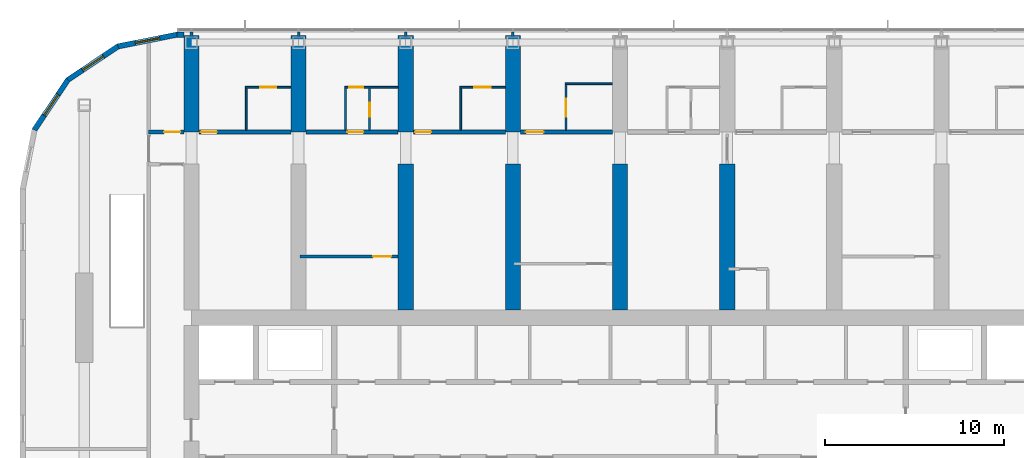
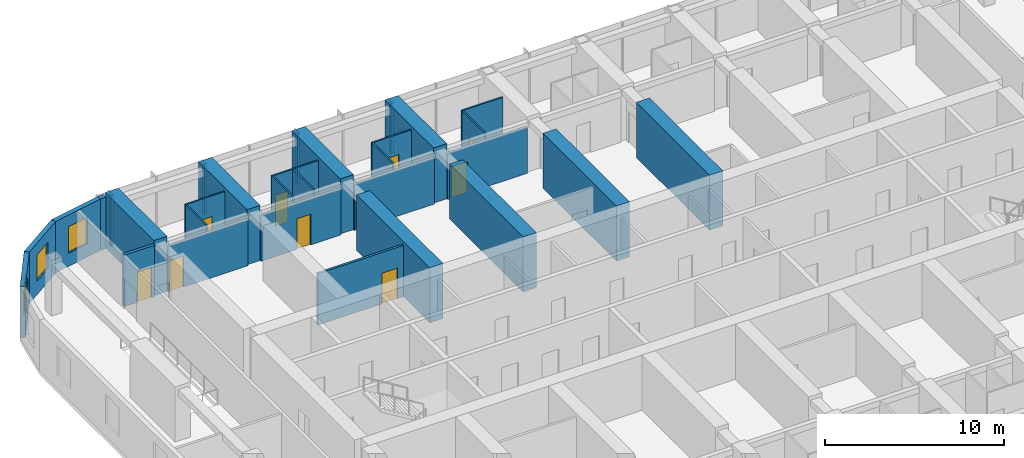
# One storey, part 15 of 22: 31 walls, 11 doors, 3 windows, 14 openings.
"""IFC4 building model written with IfcOpenShell, lengths in metres."""

from ifc_helpers import new_model, si_unit, direction, frame, frame_2d, origin, place, context, subcontext, project, spatial, polyline, rectangle, outline, extrude, material, layer, layer_set, type_object, element, fill, save


model = new_model("IFC4")

# Units and contexts
model_context = context("Model", 3, precision=1e-05, world=origin(), true_north=direction((0.0, 1.0)))
body_context = subcontext(model_context, "Body", "Model", "MODEL_VIEW")
ifc_project = project(units=[si_unit("LENGTHUNIT", "METRE"), si_unit("AREAUNIT", "SQUARE_METRE"), si_unit("VOLUMEUNIT", "CUBIC_METRE"), si_unit("PLANEANGLEUNIT", "RADIAN"), si_unit("MASSUNIT", "GRAM", prefix="KILO")], contexts=[model_context])

# Site, building, storey
site_placement = place(None, origin())
site = spatial("IfcSite", under=ifc_project, at=site_placement, CompositionType="ELEMENT")
building_placement = place(site_placement, origin())
building = spatial("IfcBuilding", under=site, at=building_placement, Name="Orbita Commons", CompositionType="ELEMENT")
storey_placement = place(building_placement, frame((0.0, 0.0, 152.35009765625)))
storey = spatial("IfcBuildingStorey", under=building, at=storey_placement, Name="L37", CompositionType="ELEMENT", Elevation=152.35009765625)

# Wall, opening, door
ifc_material_1 = material(Name="Concrete blockwork", Category="masonry")
ifc_layer_1 = layer(ifc_material_1, 0.199951171875)
ifc_layer_set_1 = layer_set([ifc_layer_1], Name="Concrete blockwork")
wall_type_1 = type_object("IfcWallType", Name="Corridor wall 200 blockwork", PredefinedType="SOLIDWALL", material=ifc_layer_set_1)
wall_1_placement = place(storey_placement, frame((15.60009765625, 48.60009765625, 0.0), z_axis=(0.0, 0.0, 1.0), x_axis=(1.0, 0.0, 0.0)))
wall_1 = element("IfcWall", 1, at=wall_1_placement, inside=storey, type_object=wall_type_1, Name="Corridor wall 200 blockwork L37", PredefinedType="SOLIDWALL", context=body_context, shape_type="SweptSolid", body=[
    extrude(rectangle(XDim=1.974853515625, YDim=0.199951171875, at=frame_2d((0.9873046875, 0.0))), origin(), (0.0, 0.0, 1.0), 3.5),
])
opening_1_placement = place(wall_1_placement, frame((0.875, 0.0, 0.0)))
opening_1 = element("IfcOpeningElement", 2, at=opening_1_placement, cuts=wall_1, Name="Opening D05", PredefinedType="OPENING", context=body_context, shape_type="SweptSolid", body=[
    extrude(rectangle(XDim=0.89990234375, YDim=2.10009765625, at=frame_2d((0.449951171875, 1.050048828125))), frame((0.0, 0.10986328125, 0.0), z_axis=(0.0, -1.0, 0.0), x_axis=(1.0, 0.0, 0.0)), (0.0, 0.0, 1.0), 0.219970703125),
])
ifc_material_2 = material(Name="Steel-faced fire door leaf", Category="steel")
door_type_1 = type_object("IfcDoorType", Name="Service door 20 min 900x2100", OperationType="SINGLE_SWING_LEFT", PredefinedType="DOOR", material=ifc_material_2)
door_1_placement = place(opening_1_placement, origin())
door_1 = element("IfcDoor", 3, at=door_1_placement, inside=storey, type_object=door_type_1, Name="Linen store L37-KWN door", OperationType="SINGLE_SWING_LEFT", OverallHeight=2.10009765625, OverallWidth=0.89990234375, PredefinedType="DOOR", context=body_context, shape_type="SweptSolid", body=[
    extrude(rectangle(XDim=0.89990234375, YDim=2.10009765625, at=frame_2d((0.449951171875, 1.050048828125))), frame((0.0, 0.02490234375, 0.0), z_axis=(0.0, -1.0, 0.0), x_axis=(1.0, 0.0, 0.0)), (0.0, 0.0, 1.0), 0.050048828125),
])
fill(opening_1, door_1)

wall_2_placement = place(storey_placement, frame((18.425048828125, 48.60009765625, 0.0), z_axis=(0.0, 0.0, 1.0), x_axis=(1.0, 0.0, 0.0)))
wall_2 = element("IfcWall", 4, at=wall_2_placement, inside=storey, type_object=wall_type_1, Name="Corridor wall 200 blockwork L37", PredefinedType="SOLIDWALL", context=body_context, shape_type="SweptSolid", body=[
    extrude(outline(polyline([(0.0, 0.0), (5.14990234375, 0.0), (5.14990234375, 3.099853515625), (0.0, 3.099853515625), (0.0, 0.0)])), frame((0.0, 0.10009765625, 0.0), z_axis=(0.0, -1.0, 0.0), x_axis=(1.0, 0.0, 0.0)), (0.0, 0.0, 1.0), 0.199951171875),
])
opening_2_placement = place(wall_2_placement, frame((0.10009765625, 0.0, 0.0)))
opening_2 = element("IfcOpeningElement", 5, at=opening_2_placement, cuts=wall_2, Name="Opening D11", PredefinedType="OPENING", context=body_context, shape_type="SweptSolid", body=[
    extrude(rectangle(XDim=0.89990234375, YDim=2.10009765625, at=frame_2d((0.449951171875, 1.050048828125))), frame((0.0, 0.10986328125, 0.0), z_axis=(0.0, -1.0, 0.0), x_axis=(1.0, 0.0, 0.0)), (0.0, 0.0, 1.0), 0.219970703125),
])
ifc_material_3 = material(Name="Steel-faced fire door leaf", Category="steel")
door_type_2 = type_object("IfcDoorType", Name="Corridor door 20 min 900x2100", OperationType="SINGLE_SWING_LEFT", PredefinedType="DOOR", material=ifc_material_3)
door_2_placement = place(opening_2_placement, origin())
door_2 = element("IfcDoor", 6, at=door_2_placement, inside=storey, type_object=door_type_2, Name="Twin room L37-N00 door", OperationType="SINGLE_SWING_LEFT", OverallHeight=2.10009765625, OverallWidth=0.89990234375, PredefinedType="DOOR", context=body_context, shape_type="SweptSolid", body=[
    extrude(rectangle(XDim=0.89990234375, YDim=2.10009765625, at=frame_2d((0.449951171875, 1.050048828125))), frame((0.0, 0.02490234375, 0.0), z_axis=(0.0, -1.0, 0.0), x_axis=(1.0, 0.0, 0.0)), (0.0, 0.0, 1.0), 0.050048828125),
])
fill(opening_2, door_2)

wall_3_placement = place(storey_placement, frame((24.425048828125, 48.60009765625, 0.0), z_axis=(0.0, 0.0, 1.0), x_axis=(1.0, 0.0, 0.0)))
wall_3 = element("IfcWall", 7, at=wall_3_placement, inside=storey, type_object=wall_type_1, Name="Corridor wall 200 blockwork L37", PredefinedType="SOLIDWALL", context=body_context, shape_type="SweptSolid", body=[
    extrude(outline(polyline([(0.0, 0.0), (5.14990234375, 0.0), (5.14990234375, 3.099853515625), (0.0, 3.099853515625), (0.0, 0.0)])), frame((0.0, 0.10009765625, 0.0), z_axis=(0.0, -1.0, 0.0), x_axis=(1.0, 0.0, 0.0)), (0.0, 0.0, 1.0), 0.199951171875),
])
opening_3_placement = place(wall_3_placement, frame((2.300048828125, 0.0, 0.0)))
opening_3 = element("IfcOpeningElement", 8, at=opening_3_placement, cuts=wall_3, Name="Opening D11", PredefinedType="OPENING", context=body_context, shape_type="SweptSolid", body=[
    extrude(rectangle(XDim=0.89990234375, YDim=2.10009765625, at=frame_2d((0.449951171875, 1.050048828125))), frame((0.0, 0.10986328125, 0.0), z_axis=(0.0, -1.0, 0.0), x_axis=(1.0, 0.0, 0.0)), (0.0, 0.0, 1.0), 0.219970703125),
])
door_3_placement = place(opening_3_placement, origin())
door_3 = element("IfcDoor", 9, at=door_3_placement, inside=storey, type_object=door_type_2, Name="Studio flat L37-N02 entrance door", OperationType="SINGLE_SWING_LEFT", OverallHeight=2.10009765625, OverallWidth=0.89990234375, PredefinedType="DOOR", context=body_context, shape_type="SweptSolid", body=[
    extrude(rectangle(XDim=0.89990234375, YDim=2.10009765625, at=frame_2d((0.449951171875, 1.050048828125))), frame((0.0, 0.02490234375, 0.0), z_axis=(0.0, -1.0, 0.0), x_axis=(1.0, 0.0, 0.0)), (0.0, 0.0, 1.0), 0.050048828125),
])
fill(opening_3, door_3)

wall_4_placement = place(storey_placement, frame((30.425048828125, 48.60009765625, 0.0), z_axis=(0.0, 0.0, 1.0), x_axis=(1.0, 0.0, 0.0)))
wall_4 = element("IfcWall", 10, at=wall_4_placement, inside=storey, type_object=wall_type_1, Name="Corridor wall 200 blockwork L37", PredefinedType="SOLIDWALL", context=body_context, shape_type="SweptSolid", body=[
    extrude(outline(polyline([(0.0, 0.0), (5.14990234375, 0.0), (5.14990234375, 3.099853515625), (0.0, 3.099853515625), (0.0, 0.0)])), frame((0.0, 0.10009765625, 0.0), z_axis=(0.0, -1.0, 0.0), x_axis=(1.0, 0.0, 0.0)), (0.0, 0.0, 1.0), 0.199951171875),
])
opening_4_placement = place(wall_4_placement, frame((0.10009765625, 0.0, 0.0)))
opening_4 = element("IfcOpeningElement", 11, at=opening_4_placement, cuts=wall_4, Name="Opening D11", PredefinedType="OPENING", context=body_context, shape_type="SweptSolid", body=[
    extrude(rectangle(XDim=0.89990234375, YDim=2.10009765625, at=frame_2d((0.449951171875, 1.050048828125))), frame((0.0, 0.10986328125, 0.0), z_axis=(0.0, -1.0, 0.0), x_axis=(1.0, 0.0, 0.0)), (0.0, 0.0, 1.0), 0.219970703125),
])
door_4_placement = place(opening_4_placement, origin())
door_4 = element("IfcDoor", 12, at=door_4_placement, inside=storey, type_object=door_type_2, Name="Twin room L37-N04 door", OperationType="SINGLE_SWING_LEFT", OverallHeight=2.10009765625, OverallWidth=0.89990234375, PredefinedType="DOOR", context=body_context, shape_type="SweptSolid", body=[
    extrude(rectangle(XDim=0.89990234375, YDim=2.10009765625, at=frame_2d((0.449951171875, 1.050048828125))), frame((0.0, 0.02490234375, 0.0), z_axis=(0.0, -1.0, 0.0), x_axis=(1.0, 0.0, 0.0)), (0.0, 0.0, 1.0), 0.050048828125),
])
fill(opening_4, door_4)

wall_5_placement = place(storey_placement, frame((36.425048828125, 48.60009765625, 0.0), z_axis=(0.0, 0.0, 1.0), x_axis=(1.0, 0.0, 0.0)))
wall_5 = element("IfcWall", 13, at=wall_5_placement, inside=storey, type_object=wall_type_1, Name="Corridor wall 200 blockwork L37", PredefinedType="SOLIDWALL", context=body_context, shape_type="SweptSolid", body=[
    extrude(outline(polyline([(0.0, 0.0), (5.14990234375, 0.0), (5.14990234375, 3.099853515625), (0.0, 3.099853515625), (0.0, 0.0)])), frame((0.0, 0.10009765625, 0.0), z_axis=(0.0, -1.0, 0.0), x_axis=(1.0, 0.0, 0.0)), (0.0, 0.0, 1.0), 0.199951171875),
])
opening_5_placement = place(wall_5_placement, frame((0.300048828125, 0.0, 0.0)))
opening_5 = element("IfcOpeningElement", 14, at=opening_5_placement, cuts=wall_5, Name="Opening D06", PredefinedType="OPENING", context=body_context, shape_type="SweptSolid", body=[
    extrude(rectangle(XDim=1.0, YDim=2.10009765625, at=frame_2d((0.5, 1.050048828125))), frame((0.0, 0.10986328125, 0.0), z_axis=(0.0, -1.0, 0.0), x_axis=(1.0, 0.0, 0.0)), (0.0, 0.0, 1.0), 0.219970703125),
])
ifc_material_4 = material(Name="Steel-faced fire door leaf", Category="steel")
door_type_3 = type_object("IfcDoorType", Name="Corridor door 20 min 1000x2100", OperationType="SINGLE_SWING_LEFT", PredefinedType="DOOR", material=ifc_material_4)
door_5_placement = place(opening_5_placement, origin())
door_5 = element("IfcDoor", 15, at=door_5_placement, inside=storey, type_object=door_type_3, Name="Accessible bedroom L37-N06 door", OperationType="SINGLE_SWING_LEFT", OverallHeight=2.10009765625, OverallWidth=1.0, PredefinedType="DOOR", context=body_context, shape_type="SweptSolid", body=[
    extrude(rectangle(XDim=1.0, YDim=2.10009765625, at=frame_2d((0.5, 1.050048828125))), frame((0.0, 0.02490234375, 0.0), z_axis=(0.0, -1.0, 0.0), x_axis=(1.0, 0.0, 0.0)), (0.0, 0.0, 1.0), 0.050048828125),
])
fill(opening_5, door_5)

# Walls
ifc_material_5 = material(Name="Concrete C50/60", Category="concrete")
ifc_layer_2 = layer(ifc_material_5, 0.85009765625)
ifc_layer_set_2 = layer_set([ifc_layer_2], Name="Concrete C50/60")
wall_type_2 = type_object("IfcWallType", Name="Cross wall 850 C50/60", PredefinedType="SHEAR", material=ifc_layer_set_2)
for number, where, z_axis, x_axis, name in (
    (16, (18.0, 48.60009765625, 0.0), (0.0, 0.0, 1.0), (0.0, 1.0, 0.0), "Cross wall 4 north outer L37"),
    (17, (24.0, 48.60009765625, 0.0), (0.0, 0.0, 1.0), (0.0, 1.0, 0.0), "Cross wall 5 north outer L37"),
    (18, (30.0, 48.60009765625, 0.0), (0.0, 0.0, 1.0), (0.0, 1.0, 0.0), "Cross wall 6 north outer L37"),
):
    element("IfcWall", number, at=place(storey_placement, frame(where, z_axis=z_axis, x_axis=x_axis)), inside=storey, type_object=wall_type_2, Name=name, PredefinedType="SHEAR", context=body_context, shape_type="SweptSolid", body=[
        extrude(rectangle(XDim=5.39990234375, YDim=0.85009765625, at=frame_2d((2.699951171875, 0.0))), origin(), (0.0, 0.0, 1.0), 3.75),
    ])
wall_6_placement = place(storey_placement, frame((30.0, 38.625, 0.0), z_axis=(0.0, 0.0, 1.0), x_axis=(0.0, 1.0, 0.0)))
element("IfcWall", 19, at=wall_6_placement, inside=storey, type_object=wall_type_2, Name="Cross wall 6 north inner L37", PredefinedType="SHEAR", context=body_context, shape_type="SweptSolid", body=[
    extrude(rectangle(XDim=8.175048828125, YDim=0.85009765625, at=frame_2d((4.08740234375, 0.0))), origin(), (0.0, 0.0, 1.0), 3.75),
])
wall_7_placement = place(storey_placement, frame((36.0, 48.60009765625, 0.0), z_axis=(0.0, 0.0, 1.0), x_axis=(0.0, 1.0, 0.0)))
element("IfcWall", 20, at=wall_7_placement, inside=storey, type_object=wall_type_2, Name="Cross wall 7 north outer L37", PredefinedType="SHEAR", context=body_context, shape_type="SweptSolid", body=[
    extrude(rectangle(XDim=5.39990234375, YDim=0.85009765625, at=frame_2d((2.699951171875, 0.0))), origin(), (0.0, 0.0, 1.0), 3.75),
])
for number, where, z_axis, x_axis, name in (
    (21, (36.0, 38.625, 0.0), (0.0, 0.0, 1.0), (0.0, 1.0, 0.0), "Cross wall 7 north inner L37"),
    (22, (42.0, 38.625, 0.0), (0.0, 0.0, 1.0), (0.0, 1.0, 0.0), "Cross wall 8 north inner L37"),
    (23, (48.0, 38.625, 0.0), (0.0, 0.0, 1.0), (0.0, 1.0, 0.0), "Cross wall 9 north inner L37"),
):
    element("IfcWall", number, at=place(storey_placement, frame(where, z_axis=z_axis, x_axis=x_axis)), inside=storey, type_object=wall_type_2, Name=name, PredefinedType="SHEAR", context=body_context, shape_type="SweptSolid", body=[
        extrude(rectangle(XDim=8.175048828125, YDim=0.85009765625, at=frame_2d((4.08740234375, 0.0))), origin(), (0.0, 0.0, 1.0), 3.75),
    ])

# Wall, opening, door
ifc_material_6 = material(Name="Moisture-resistant plasterboard on steel studs", Category="steel")
ifc_layer_3 = layer(ifc_material_6, 0.10009765625)
ifc_layer_set_3 = layer_set([ifc_layer_3], Name="Moisture-resistant plasterboard on steel studs")
wall_type_3 = type_object("IfcWallType", Name="En-suite partition 100", PredefinedType="PARTITIONING", material=ifc_layer_set_3)
wall_8_placement = place(storey_placement, frame((21.02490234375, 51.10009765625, 0.0), z_axis=(0.0, 0.0, 1.0), x_axis=(1.0, 0.0, 0.0)))
wall_8 = element("IfcWall", 24, at=wall_8_placement, inside=storey, type_object=wall_type_3, Name="En-suite partition 100 L37", PredefinedType="PARTITIONING", context=body_context, shape_type="SweptSolid", body=[
    extrude(rectangle(XDim=2.550048828125, YDim=0.10009765625, at=frame_2d((1.27490234375, 0.0))), origin(), (0.0, 0.0, 1.0), 3.5),
])
opening_6_placement = place(wall_8_placement, frame((0.824951171875, 0.0, 0.0)))
opening_6 = element("IfcOpeningElement", 25, at=opening_6_placement, cuts=wall_8, Name="Opening D09", PredefinedType="OPENING", context=body_context, shape_type="SweptSolid", body=[
    extrude(rectangle(XDim=0.89990234375, YDim=2.10009765625, at=frame_2d((0.449951171875, 1.050048828125))), frame((0.0, 0.06005859375, 0.0), z_axis=(0.0, -1.0, 0.0), x_axis=(1.0, 0.0, 0.0)), (0.0, 0.0, 1.0), 0.1201171875),
])
ifc_material_7 = material(Name="Laminated timber door leaf", Category="wood")
door_type_4 = type_object("IfcDoorType", Name="En-suite door 900x2100", OperationType="SINGLE_SWING_RIGHT", PredefinedType="DOOR", material=ifc_material_7)
door_6_placement = place(opening_6_placement, origin())
door_6 = element("IfcDoor", 26, at=door_6_placement, inside=storey, type_object=door_type_4, Name="En-suite L37-N00 door", OperationType="SINGLE_SWING_RIGHT", OverallHeight=2.10009765625, OverallWidth=0.89990234375, PredefinedType="DOOR", context=body_context, shape_type="SweptSolid", body=[
    extrude(rectangle(XDim=0.89990234375, YDim=2.10009765625, at=frame_2d((0.449951171875, 1.050048828125))), frame((0.0, 0.02490234375, 0.0), z_axis=(0.0, -1.0, 0.0), x_axis=(1.0, 0.0, 0.0)), (0.0, 0.0, 1.0), 0.050048828125),
])
fill(opening_6, door_6)

# Wall
wall_9_placement = place(storey_placement, frame((21.074951171875, 51.050048828125, 0.0), z_axis=(0.0, 0.0, 1.0), x_axis=(0.0, -1.0, 0.0)))
element("IfcWall", 27, at=wall_9_placement, inside=storey, type_object=wall_type_3, Name="En-suite partition 100 L37", PredefinedType="PARTITIONING", context=body_context, shape_type="SweptSolid", body=[
    extrude(outline(polyline([(0.0, 0.0), (2.35009765625, 0.0), (2.35009765625, 3.099853515625), (2.302001953125, 3.099853515625), (2.300048828125, 3.5), (0.0, 3.5), (0.0, 0.0)])), frame((0.0, 0.050048828125, 0.0), z_axis=(0.0, -1.0, 0.0), x_axis=(1.0, 0.0, 0.0)), (0.0, 0.0, 1.0), 0.10009765625),
])

# Wall, opening, door
wall_10_placement = place(storey_placement, frame((26.574951171875, 51.10009765625, 0.0), z_axis=(0.0, 0.0, 1.0), x_axis=(1.0, 0.0, 0.0)))
wall_10 = element("IfcWall", 28, at=wall_10_placement, inside=storey, type_object=wall_type_3, Name="En-suite partition 100 L37", PredefinedType="PARTITIONING", context=body_context, shape_type="SweptSolid", body=[
    extrude(rectangle(XDim=3.0, YDim=0.10009765625, at=frame_2d((1.5, 0.0))), origin(), (0.0, 0.0, 1.0), 3.5),
])
opening_7_placement = place(wall_10_placement, frame((0.25, 0.0, 0.0)))
opening_7 = element("IfcOpeningElement", 29, at=opening_7_placement, cuts=wall_10, Name="Opening D16", PredefinedType="OPENING", context=body_context, shape_type="SweptSolid", body=[
    extrude(rectangle(XDim=0.800048828125, YDim=2.10009765625, at=frame_2d((0.39990234375, 1.050048828125))), frame((0.0, 0.06005859375, 0.0), z_axis=(0.0, -1.0, 0.0), x_axis=(1.0, 0.0, 0.0)), (0.0, 0.0, 1.0), 0.1201171875),
])
ifc_material_8 = material(Name="Laminated timber door leaf", Category="wood")
door_type_5 = type_object("IfcDoorType", Name="En-suite door 800x2100", OperationType="SINGLE_SWING_RIGHT", PredefinedType="DOOR", material=ifc_material_8)
door_7_placement = place(opening_7_placement, origin())
door_7 = element("IfcDoor", 30, at=door_7_placement, inside=storey, type_object=door_type_5, Name="Studio flat L37-N02 door", OperationType="SINGLE_SWING_RIGHT", OverallHeight=2.10009765625, OverallWidth=0.800048828125, PredefinedType="DOOR", context=body_context, shape_type="SweptSolid", body=[
    extrude(rectangle(XDim=0.800048828125, YDim=2.10009765625, at=frame_2d((0.39990234375, 1.050048828125))), frame((0.0, 0.02490234375, 0.0), z_axis=(0.0, -1.0, 0.0), x_axis=(1.0, 0.0, 0.0)), (0.0, 0.0, 1.0), 0.050048828125),
])
fill(opening_7, door_7)

# Wall
wall_11_placement = place(storey_placement, frame((26.625, 51.050048828125, 0.0), z_axis=(0.0, 0.0, 1.0), x_axis=(0.0, -1.0, 0.0)))
element("IfcWall", 31, at=wall_11_placement, inside=storey, type_object=wall_type_3, Name="En-suite partition 100 L37", PredefinedType="PARTITIONING", context=body_context, shape_type="SweptSolid", body=[
    extrude(outline(polyline([(0.0, 0.0), (2.35009765625, 0.0), (2.35009765625, 3.099853515625), (2.302001953125, 3.099853515625), (2.300048828125, 3.5), (0.0, 3.5), (0.0, 0.0)])), frame((0.0, 0.050048828125, 0.0), z_axis=(0.0, -1.0, 0.0), x_axis=(1.0, 0.0, 0.0)), (0.0, 0.0, 1.0), 0.10009765625),
])

# Wall, opening, door
wall_12_placement = place(storey_placement, frame((27.97509765625, 51.050048828125, 0.0), z_axis=(0.0, 0.0, 1.0), x_axis=(0.0, -1.0, 0.0)))
wall_12 = element("IfcWall", 32, at=wall_12_placement, inside=storey, type_object=wall_type_3, Name="En-suite partition 100 L37", PredefinedType="PARTITIONING", context=body_context, shape_type="SweptSolid", body=[
    extrude(outline(polyline([(0.0, 0.0), (2.35009765625, 0.0), (2.35009765625, 3.099853515625), (2.302001953125, 3.099853515625), (2.300048828125, 3.5), (0.0, 3.5), (0.0, 0.0)])), frame((0.0, 0.050048828125, 0.0), z_axis=(0.0, -1.0, 0.0), x_axis=(1.0, 0.0, 0.0)), (0.0, 0.0, 1.0), 0.10009765625),
])
opening_8_placement = place(wall_12_placement, frame((0.800048828125, 0.0, 0.0)))
opening_8 = element("IfcOpeningElement", 33, at=opening_8_placement, cuts=wall_12, Name="Opening D16", PredefinedType="OPENING", context=body_context, shape_type="SweptSolid", body=[
    extrude(rectangle(XDim=0.800048828125, YDim=2.10009765625, at=frame_2d((0.39990234375, 1.050048828125))), frame((0.0, 0.06005859375, 0.0), z_axis=(0.0, -1.0, 0.0), x_axis=(1.0, 0.0, 0.0)), (0.0, 0.0, 1.0), 0.1201171875),
])
door_8_placement = place(opening_8_placement, origin())
door_8 = element("IfcDoor", 34, at=door_8_placement, inside=storey, type_object=door_type_5, Name="Studio flat shower room L37-N02 door", OperationType="SINGLE_SWING_RIGHT", OverallHeight=2.10009765625, OverallWidth=0.800048828125, PredefinedType="DOOR", context=body_context, shape_type="SweptSolid", body=[
    extrude(rectangle(XDim=0.800048828125, YDim=2.10009765625, at=frame_2d((0.39990234375, 1.050048828125))), frame((0.0, 0.02490234375, 0.0), z_axis=(0.0, -1.0, 0.0), x_axis=(1.0, 0.0, 0.0)), (0.0, 0.0, 1.0), 0.050048828125),
])
fill(opening_8, door_8)

wall_13_placement = place(storey_placement, frame((33.02490234375, 51.10009765625, 0.0), z_axis=(0.0, 0.0, 1.0), x_axis=(1.0, 0.0, 0.0)))
wall_13 = element("IfcWall", 35, at=wall_13_placement, inside=storey, type_object=wall_type_3, Name="En-suite partition 100 L37", PredefinedType="PARTITIONING", context=body_context, shape_type="SweptSolid", body=[
    extrude(rectangle(XDim=2.550048828125, YDim=0.10009765625, at=frame_2d((1.27490234375, 0.0))), origin(), (0.0, 0.0, 1.0), 3.5),
])
opening_9_placement = place(wall_13_placement, frame((0.824951171875, 0.0, 0.0)))
opening_9 = element("IfcOpeningElement", 36, at=opening_9_placement, cuts=wall_13, Name="Opening D09", PredefinedType="OPENING", context=body_context, shape_type="SweptSolid", body=[
    extrude(rectangle(XDim=0.89990234375, YDim=2.10009765625, at=frame_2d((0.449951171875, 1.050048828125))), frame((0.0, 0.06005859375, 0.0), z_axis=(0.0, -1.0, 0.0), x_axis=(1.0, 0.0, 0.0)), (0.0, 0.0, 1.0), 0.1201171875),
])
door_9_placement = place(opening_9_placement, origin())
door_9 = element("IfcDoor", 37, at=door_9_placement, inside=storey, type_object=door_type_4, Name="En-suite L37-N04 door", OperationType="SINGLE_SWING_RIGHT", OverallHeight=2.10009765625, OverallWidth=0.89990234375, PredefinedType="DOOR", context=body_context, shape_type="SweptSolid", body=[
    extrude(rectangle(XDim=0.89990234375, YDim=2.10009765625, at=frame_2d((0.449951171875, 1.050048828125))), frame((0.0, 0.02490234375, 0.0), z_axis=(0.0, -1.0, 0.0), x_axis=(1.0, 0.0, 0.0)), (0.0, 0.0, 1.0), 0.050048828125),
])
fill(opening_9, door_9)

# Walls
wall_14_placement = place(storey_placement, frame((33.074951171875, 51.050048828125, 0.0), z_axis=(0.0, 0.0, 1.0), x_axis=(0.0, -1.0, 0.0)))
element("IfcWall", 38, at=wall_14_placement, inside=storey, type_object=wall_type_3, Name="En-suite partition 100 L37", PredefinedType="PARTITIONING", context=body_context, shape_type="SweptSolid", body=[
    extrude(outline(polyline([(0.0, 0.0), (2.35009765625, 0.0), (2.35009765625, 3.099853515625), (2.302001953125, 3.099853515625), (2.300048828125, 3.5), (0.0, 3.5), (0.0, 0.0)])), frame((0.0, 0.050048828125, 0.0), z_axis=(0.0, -1.0, 0.0), x_axis=(1.0, 0.0, 0.0)), (0.0, 0.0, 1.0), 0.10009765625),
])
wall_15_placement = place(storey_placement, frame((38.925048828125, 51.300048828125, 0.0), z_axis=(0.0, 0.0, 1.0), x_axis=(1.0, 0.0, 0.0)))
element("IfcWall", 39, at=wall_15_placement, inside=storey, type_object=wall_type_3, Name="En-suite partition 100 L37", PredefinedType="PARTITIONING", context=body_context, shape_type="SweptSolid", body=[
    extrude(rectangle(XDim=2.64990234375, YDim=0.10009765625, at=frame_2d((1.324951171875, 0.0))), origin(), (0.0, 0.0, 1.0), 3.5),
])

# Wall, opening, door
wall_16_placement = place(storey_placement, frame((38.97509765625, 51.25, 0.0), z_axis=(0.0, 0.0, 1.0), x_axis=(0.0, -1.0, 0.0)))
wall_16 = element("IfcWall", 40, at=wall_16_placement, inside=storey, type_object=wall_type_3, Name="En-suite partition 100 L37", PredefinedType="PARTITIONING", context=body_context, shape_type="SweptSolid", body=[
    extrude(outline(polyline([(0.0, 0.0), (2.550048828125, 0.0), (2.550048828125, 3.099853515625), (2.501953125, 3.099853515625), (2.5, 3.5), (0.0, 3.5), (0.0, 0.0)])), frame((0.0, 0.050048828125, 0.0), z_axis=(0.0, -1.0, 0.0), x_axis=(1.0, 0.0, 0.0)), (0.0, 0.0, 1.0), 0.10009765625),
])
opening_10_placement = place(wall_16_placement, frame((0.800048828125, 0.0, 0.0)))
opening_10 = element("IfcOpeningElement", 41, at=opening_10_placement, cuts=wall_16, Name="Opening D13", PredefinedType="OPENING", context=body_context, shape_type="SweptSolid", body=[
    extrude(rectangle(XDim=1.0, YDim=2.10009765625, at=frame_2d((0.5, 1.050048828125))), frame((0.0, 0.06005859375, 0.0), z_axis=(0.0, -1.0, 0.0), x_axis=(1.0, 0.0, 0.0)), (0.0, 0.0, 1.0), 0.1201171875),
])
ifc_material_9 = material(Name="Laminated timber door leaf", Category="wood")
door_type_6 = type_object("IfcDoorType", Name="En-suite door 1000x2100", OperationType="SINGLE_SWING_RIGHT", PredefinedType="DOOR", material=ifc_material_9)
door_10_placement = place(opening_10_placement, origin())
door_10 = element("IfcDoor", 42, at=door_10_placement, inside=storey, type_object=door_type_6, Name="Accessible shower room L37-N06 door", OperationType="SINGLE_SWING_RIGHT", OverallHeight=2.10009765625, OverallWidth=1.0, PredefinedType="DOOR", context=body_context, shape_type="SweptSolid", body=[
    extrude(rectangle(XDim=1.0, YDim=2.10009765625, at=frame_2d((0.5, 1.050048828125))), frame((0.0, 0.02490234375, 0.0), z_axis=(0.0, -1.0, 0.0), x_axis=(1.0, 0.0, 0.0)), (0.0, 0.0, 1.0), 0.050048828125),
])
fill(opening_10, door_10)

ifc_material_10 = material(Name="Gypsum plasterboard on steel studs", Category="steel")
ifc_layer_4 = layer(ifc_material_10, 0.14990234375)
ifc_layer_set_4 = layer_set([ifc_layer_4], Name="Gypsum plasterboard on steel studs")
wall_type_4 = type_object("IfcWallType", Name="Partition 150 plasterboard", PredefinedType="PARTITIONING", material=ifc_layer_set_4)
wall_17_placement = place(storey_placement, frame((29.574951171875, 41.625, 0.0), z_axis=(0.0, 0.0, 1.0), x_axis=(-1.0, 0.0, 0.0)))
wall_17 = element("IfcWall", 43, at=wall_17_placement, inside=storey, type_object=wall_type_4, Name="Partition 150 plasterboard L37", PredefinedType="PARTITIONING", context=body_context, shape_type="SweptSolid", body=[
    extrude(rectangle(XDim=5.5, YDim=0.14990234375, at=frame_2d((2.75, 0.0))), origin(), (0.0, 0.0, 1.0), 3.5),
])
opening_11_placement = place(wall_17_placement, frame((0.39990234375, 0.0, 0.0)))
opening_11 = element("IfcOpeningElement", 44, at=opening_11_placement, cuts=wall_17, Name="Opening D17", PredefinedType="OPENING", context=body_context, shape_type="SweptSolid", body=[
    extrude(rectangle(XDim=1.0, YDim=2.10009765625, at=frame_2d((0.5, 1.050048828125))), frame((0.0, 0.0849609375, 0.0), z_axis=(0.0, -1.0, 0.0), x_axis=(1.0, 0.0, 0.0)), (0.0, 0.0, 1.0), 0.169921875),
])
ifc_material_11 = material(Name="Steel-faced fire door leaf", Category="steel")
door_type_7 = type_object("IfcDoorType", Name="Shaft access door 90 min 1000x2100", OperationType="SINGLE_SWING_LEFT", PredefinedType="DOOR", material=ifc_material_11)
door_11_placement = place(opening_11_placement, origin())
door_11 = element("IfcDoor", 45, at=door_11_placement, inside=storey, type_object=door_type_7, Name="Ventilation plant room north L37-BDN24 door", OperationType="SINGLE_SWING_LEFT", OverallHeight=2.10009765625, OverallWidth=1.0, PredefinedType="DOOR", context=body_context, shape_type="SweptSolid", body=[
    extrude(rectangle(XDim=1.0, YDim=2.10009765625, at=frame_2d((0.5, 1.050048828125))), frame((0.0, 0.02490234375, 0.0), z_axis=(0.0, -1.0, 0.0), x_axis=(1.0, 0.0, 0.0)), (0.0, 0.0, 1.0), 0.050048828125),
])
fill(opening_11, door_11)

# Walls
for number, where, z_axis, x_axis, name in (
    (46, (18.0, 53.949951171875, 0.0), (0.0, 0.0, 1.0), (0.0, 1.0, 0.0), "Partition 150 plasterboard L37"),
    (47, (24.0, 53.949951171875, 0.0), (0.0, 0.0, 1.0), (0.0, 1.0, 0.0), "Partition 150 plasterboard L37"),
    (48, (30.0, 53.949951171875, 0.0), (0.0, 0.0, 1.0), (0.0, 1.0, 0.0), "Partition 150 plasterboard L37"),
    (49, (36.0, 53.949951171875, 0.0), (0.0, 0.0, 1.0), (0.0, 1.0, 0.0), "Partition 150 plasterboard L37"),
):
    element("IfcWall", number, at=place(storey_placement, frame(where, z_axis=z_axis, x_axis=x_axis)), inside=storey, type_object=wall_type_4, Name=name, PredefinedType="PARTITIONING", context=body_context, shape_type="SweptSolid", body=[
        extrude(rectangle(XDim=0.239990234375, YDim=0.14990234375, at=frame_2d((0.1201171875, 0.0))), origin(), (0.0, 0.0, 1.0), 3.5),
    ])

# Wall, opening, window
ifc_material_12 = material(Name="Precast concrete C40/50, white board-marked finish", Category="concrete")
ifc_layer_5 = layer(ifc_material_12, 0.300048828125)
ifc_layer_set_5 = layer_set([ifc_layer_5], Name="Precast concrete C40/50, white board-marked finish")
wall_type_5 = type_object("IfcWallType", Name="Precast concrete end shield 300", PredefinedType="SOLIDWALL", material=ifc_layer_set_5)
wall_18_placement = place(storey_placement, frame((17.199951171875, 54.050048828125, 0.0), z_axis=(0.0, 0.0, 1.0), x_axis=(-0.98078325777, -0.195100490205, 0.0)))
wall_18 = element("IfcWall", 50, at=wall_18_placement, inside=storey, type_object=wall_type_5, Name="End shield NW chord 1 L37", PredefinedType="SOLIDWALL", context=body_context, shape_type="SweptSolid", body=[
    extrude(outline(polyline([(-0.02978515625, -0.14990234375), (3.40478515625, -0.14990234375), (3.34521484375, 0.14990234375), (0.02978515625, 0.14990234375), (-0.02978515625, -0.14990234375)])), origin(), (0.0, 0.0, 1.0), 3.5),
])
opening_12_placement = place(wall_18_placement, frame((0.987548828125, 0.0, 0.89990234375)))
opening_12 = element("IfcOpeningElement", 51, at=opening_12_placement, cuts=wall_18, Name="Opening W02", PredefinedType="OPENING", context=body_context, shape_type="SweptSolid", body=[
    extrude(rectangle(XDim=1.39990234375, YDim=1.800048828125, at=frame_2d((0.699951171875, 0.89990234375))), frame((0.0, 0.159912109375, 0.0), z_axis=(0.0, -1.0, 0.0), x_axis=(1.0, 0.0, 0.0)), (0.0, 0.0, 1.0), 0.320068359375),
])
ifc_material_13 = material(Name="Aluminium frame, clear double glazing", Category="aluminium")
window_type = type_object("IfcWindowType", Name="Deep-set window 1400x1800", PartitioningType="SINGLE_PANEL", PredefinedType="WINDOW", material=ifc_material_13)
window_1_placement = place(opening_12_placement, origin())
window_1 = element("IfcWindow", 52, at=window_1_placement, inside=storey, type_object=window_type, Name="Window L37-NW0", OverallHeight=1.800048828125, OverallWidth=1.39990234375, PartitioningType="SINGLE_PANEL", PredefinedType="WINDOW", context=body_context, shape_type="SweptSolid", body=[
    extrude(rectangle(XDim=1.39990234375, YDim=1.800048828125, at=frame_2d((0.699951171875, 0.89990234375))), frame((0.0, 0.030029296875, 0.0), z_axis=(0.0, -1.0, 0.0), x_axis=(1.0, 0.0, 0.0)), (0.0, 0.0, 1.0), 0.06005859375),
])
fill(opening_12, window_1)

wall_19_placement = place(storey_placement, frame((13.889892578125, 53.3916015625, 0.0), z_axis=(0.0, 0.0, 1.0), x_axis=(-0.831493450887, -0.555534554399, 0.0)))
wall_19 = element("IfcWall", 53, at=wall_19_placement, inside=storey, type_object=wall_type_5, Name="End shield NW chord 2 L37", PredefinedType="SOLIDWALL", context=body_context, shape_type="SweptSolid", body=[
    extrude(outline(polyline([(-0.02978515625, -0.14990234375), (3.405029296875, -0.14990234375), (3.345458984375, 0.14990234375), (0.02978515625, 0.14990234375), (-0.02978515625, -0.14990234375)])), origin(), (0.0, 0.0, 1.0), 3.5),
])
opening_13_placement = place(wall_19_placement, frame((0.987548828125, 0.0, 0.89990234375)))
opening_13 = element("IfcOpeningElement", 54, at=opening_13_placement, cuts=wall_19, Name="Opening W02", PredefinedType="OPENING", context=body_context, shape_type="SweptSolid", body=[
    extrude(rectangle(XDim=1.39990234375, YDim=1.800048828125, at=frame_2d((0.699951171875, 0.89990234375))), frame((0.0, 0.159912109375, 0.0), z_axis=(0.0, -1.0, 0.0), x_axis=(1.0, 0.0, 0.0)), (0.0, 0.0, 1.0), 0.320068359375),
])
window_2_placement = place(opening_13_placement, origin())
window_2 = element("IfcWindow", 55, at=window_2_placement, inside=storey, type_object=window_type, Name="Window L37-NW1", OverallHeight=1.800048828125, OverallWidth=1.39990234375, PartitioningType="SINGLE_PANEL", PredefinedType="WINDOW", context=body_context, shape_type="SweptSolid", body=[
    extrude(rectangle(XDim=1.39990234375, YDim=1.800048828125, at=frame_2d((0.699951171875, 0.89990234375))), frame((0.0, 0.030029296875, 0.0), z_axis=(0.0, -1.0, 0.0), x_axis=(1.0, 0.0, 0.0)), (0.0, 0.0, 1.0), 0.06005859375),
])
fill(opening_13, window_2)

wall_20_placement = place(storey_placement, frame((11.08349609375, 51.5166015625, 0.0), z_axis=(0.0, 0.0, 1.0), x_axis=(-0.555534554399, -0.831493450887, 0.0)))
wall_20 = element("IfcWall", 56, at=wall_20_placement, inside=storey, type_object=wall_type_5, Name="End shield NW chord 3 L37", PredefinedType="SOLIDWALL", context=body_context, shape_type="SweptSolid", body=[
    extrude(outline(polyline([(-0.02978515625, -0.14990234375), (3.405029296875, -0.14990234375), (3.345458984375, 0.14990234375), (0.02978515625, 0.14990234375), (-0.02978515625, -0.14990234375)])), origin(), (0.0, 0.0, 1.0), 3.5),
])
opening_14_placement = place(wall_20_placement, frame((0.987548828125, 0.0, 0.89990234375)))
opening_14 = element("IfcOpeningElement", 57, at=opening_14_placement, cuts=wall_20, Name="Opening W02", PredefinedType="OPENING", context=body_context, shape_type="SweptSolid", body=[
    extrude(rectangle(XDim=1.39990234375, YDim=1.800048828125, at=frame_2d((0.699951171875, 0.89990234375))), frame((0.0, 0.159912109375, 0.0), z_axis=(0.0, -1.0, 0.0), x_axis=(1.0, 0.0, 0.0)), (0.0, 0.0, 1.0), 0.320068359375),
])
window_3_placement = place(opening_14_placement, origin())
window_3 = element("IfcWindow", 58, at=window_3_placement, inside=storey, type_object=window_type, Name="Window L37-NW2", OverallHeight=1.800048828125, OverallWidth=1.39990234375, PartitioningType="SINGLE_PANEL", PredefinedType="WINDOW", context=body_context, shape_type="SweptSolid", body=[
    extrude(rectangle(XDim=1.39990234375, YDim=1.800048828125, at=frame_2d((0.699951171875, 0.89990234375))), frame((0.0, 0.030029296875, 0.0), z_axis=(0.0, -1.0, 0.0), x_axis=(1.0, 0.0, 0.0)), (0.0, 0.0, 1.0), 0.06005859375),
])
fill(opening_14, window_3)

# Wall
wall_21_placement = place(storey_placement, frame((17.199951171875, 54.050048828125, 0.0), z_axis=(0.0, 0.0, 1.0), x_axis=(1.0, 0.0, 0.0)))
element("IfcWall", 59, at=wall_21_placement, inside=storey, type_object=wall_type_5, Name="End shield NW closer L37", PredefinedType="SOLIDWALL", context=body_context, shape_type="SweptSolid", body=[
    extrude(rectangle(XDim=0.375, YDim=0.300048828125, at=frame_2d((0.1875, 0.0))), origin(), (0.0, 0.0, 1.0), 3.5),
])

save(model, "model.ifc")
